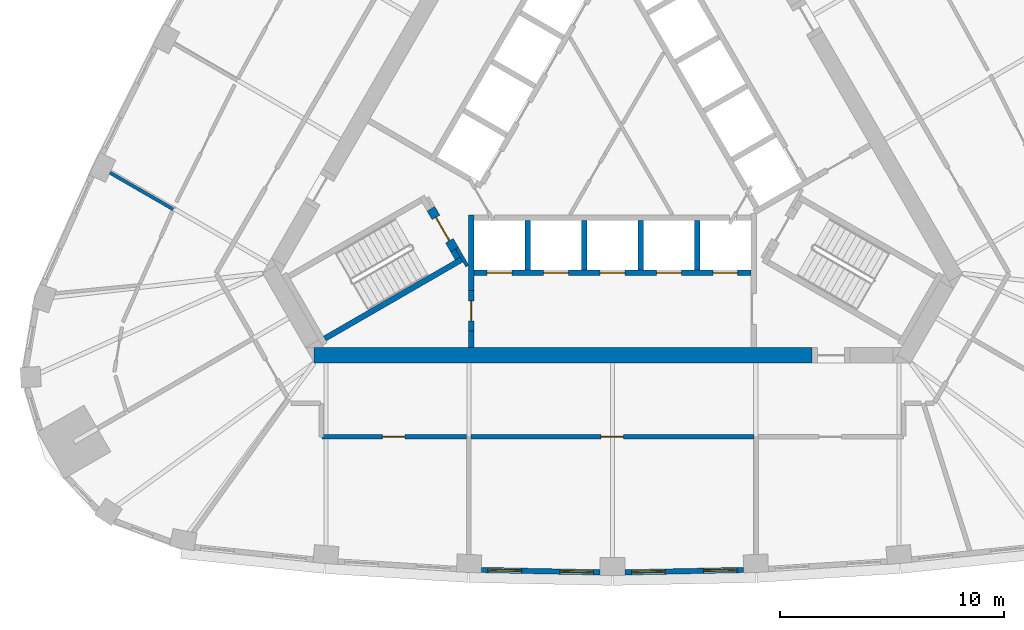
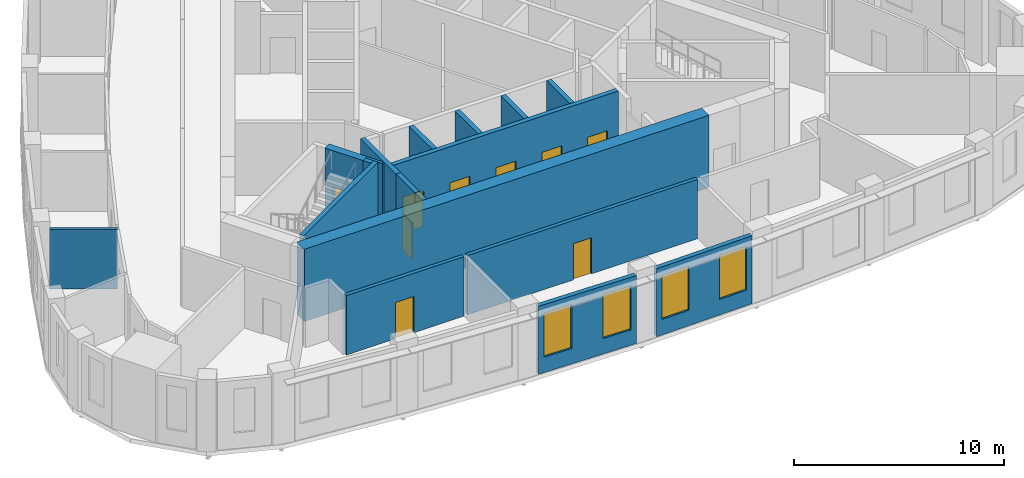
# One storey, part 3 of 11: 18 walls, 9 doors, 4 windows, 13 openings.
"""IFC4 building model written with IfcOpenShell, lengths in metres."""

from ifc_helpers import new_model, si_unit, direction, frame, frame_2d, origin, place, context, subcontext, project, spatial, rectangle, extrude, material, layer, layer_set, type_object, element, fill, save


model = new_model("IFC4")

# Units and contexts
model_context = context("Model", 3, precision=1e-05, world=origin(), true_north=direction((0.0, 1.0)))
body_context = subcontext(model_context, "Body", "Model", "MODEL_VIEW")
ifc_project = project(units=[si_unit("LENGTHUNIT", "METRE"), si_unit("AREAUNIT", "SQUARE_METRE"), si_unit("VOLUMEUNIT", "CUBIC_METRE"), si_unit("PLANEANGLEUNIT", "RADIAN"), si_unit("MASSUNIT", "GRAM", prefix="KILO")], contexts=[model_context])

# Site, building, storey
site_placement = place(None, origin())
site = spatial("IfcSite", under=ifc_project, at=site_placement, CompositionType="ELEMENT")
building_placement = place(site_placement, origin())
building = spatial("IfcBuilding", under=site, at=building_placement, Name="Mestral Congress Tower", CompositionType="ELEMENT")
storey_placement = place(building_placement, frame((0.0, 0.0, 201.60009765625)))
storey = spatial("IfcBuildingStorey", under=building, at=storey_placement, Name="L47", CompositionType="ELEMENT", Elevation=201.60009765625)

# Wall
ifc_material_1 = material(Name="Concrete C60/75", Category="concrete")
ifc_layer_1 = layer(ifc_material_1, 0.699951171875)
ifc_layer_set_1 = layer_set([ifc_layer_1], Name="Concrete C60/75")
wall_type_1 = type_object("IfcWallType", Name="Core wall RC 700", PredefinedType="SOLIDWALL", material=ifc_layer_set_1)
wall_1_placement = place(storey_placement, frame((8.904296875, -10.0, 0.0), z_axis=(0.0, 0.0, 1.0), x_axis=(-1.0, 0.0, 0.0)))
element("IfcWall", 1, at=wall_1_placement, inside=storey, type_object=wall_type_1, Name="L47 core wall", PredefinedType="SOLIDWALL", context=body_context, shape_type="SweptSolid", body=[
    extrude(rectangle(XDim=22.226318359375, YDim=0.699951171875, at=frame_2d((11.11328125, 0.0))), origin(), (0.0, 0.0, 1.0), 4.199951171875),
])

# Wall, openings, windows
ifc_material_2 = material(Name="Precast concrete C40/50 with limestone facing", Category="masonry")
ifc_layer_2 = layer(ifc_material_2, 0.239990234375)
ifc_layer_set_2 = layer_set([ifc_layer_2], Name="Precast concrete C40/50 with limestone facing")
wall_type_2 = type_object("IfcWallType", Name="Facade stone wall 240", PredefinedType="SOLIDWALL", material=ifc_layer_set_2)
wall_2_placement = place(storey_placement, frame((-5.853515625, -19.589111328125, 0.0), z_axis=(0.0, 0.0, 1.0), x_axis=(0.999784035184, -0.020781794712, 0.0)))
wall_2 = element("IfcWall", 2, at=wall_2_placement, inside=storey, type_object=wall_type_2, Name="Facade wall F0-02", PredefinedType="SOLIDWALL", context=body_context, shape_type="SweptSolid", body=[
    extrude(rectangle(XDim=5.29833984375, YDim=0.239990234375, at=frame_2d((2.649169921875, 0.0))), origin(), (0.0, 0.0, 1.0), 3.949951171875),
])
opening_1_placement = place(wall_2_placement, frame((0.29443359375, 0.0, 0.89990234375)))
opening_1 = element("IfcOpeningElement", 3, at=opening_1_placement, cuts=wall_2, Name="Opening W4", PredefinedType="OPENING", context=body_context, shape_type="SweptSolid", body=[
    extrude(rectangle(XDim=1.5, YDim=2.550048828125, at=frame_2d((0.75, 1.27490234375))), frame((0.0, 0.1298828125, 0.0), z_axis=(0.0, -1.0, 0.0), x_axis=(1.0, 0.0, 0.0)), (0.0, 0.0, 1.0), 0.260009765625),
])
opening_2_placement = place(wall_2_placement, frame((3.503662109375, 0.0, 0.89990234375)))
opening_2 = element("IfcOpeningElement", 4, at=opening_2_placement, cuts=wall_2, Name="Opening W4", PredefinedType="OPENING", context=body_context, shape_type="SweptSolid", body=[
    extrude(rectangle(XDim=1.5, YDim=2.550048828125, at=frame_2d((0.75, 1.27490234375))), frame((0.0, 0.1298828125, 0.0), z_axis=(0.0, -1.0, 0.0), x_axis=(1.0, 0.0, 0.0)), (0.0, 0.0, 1.0), 0.260009765625),
])
ifc_material_3 = material(Name="Clear low-emissivity double glazing", Category="glass")
window_type = type_object("IfcWindowType", Name="Facade punched window 1500 x 2550 sill 900", PartitioningType="SINGLE_PANEL", PredefinedType="WINDOW", material=ifc_material_3)
window_1_placement = place(opening_1_placement, origin())
window_1 = element("IfcWindow", 5, at=window_1_placement, inside=storey, type_object=window_type, Name="Window F0-02a", OverallHeight=2.550048828125, OverallWidth=1.5, PartitioningType="SINGLE_PANEL", PredefinedType="WINDOW", context=body_context, shape_type="SweptSolid", body=[
    extrude(rectangle(XDim=1.5, YDim=2.550048828125, at=frame_2d((0.75, 1.27490234375))), frame((0.0, 0.0400390625, 0.0), z_axis=(0.0, -1.0, 0.0), x_axis=(1.0, 0.0, 0.0)), (0.0, 0.0, 1.0), 0.06005859375),
])
fill(opening_1, window_1)
window_2_placement = place(opening_2_placement, origin())
window_2 = element("IfcWindow", 6, at=window_2_placement, inside=storey, type_object=window_type, Name="Window F0-02b", OverallHeight=2.550048828125, OverallWidth=1.5, PartitioningType="SINGLE_PANEL", PredefinedType="WINDOW", context=body_context, shape_type="SweptSolid", body=[
    extrude(rectangle(XDim=1.5, YDim=2.550048828125, at=frame_2d((0.75, 1.27490234375))), frame((0.0, 0.0400390625, 0.0), z_axis=(0.0, -1.0, 0.0), x_axis=(1.0, 0.0, 0.0)), (0.0, 0.0, 1.0), 0.06005859375),
])
fill(opening_2, window_2)

wall_3_placement = place(storey_placement, frame((0.556396484375, -19.69921875, 0.0), z_axis=(0.0, 0.0, 1.0), x_axis=(0.999784035184, 0.020781794712, 0.0)))
wall_3 = element("IfcWall", 7, at=wall_3_placement, inside=storey, type_object=wall_type_2, Name="Facade wall F0-03", PredefinedType="SOLIDWALL", context=body_context, shape_type="SweptSolid", body=[
    extrude(rectangle(XDim=5.29833984375, YDim=0.239990234375, at=frame_2d((2.649169921875, 0.0))), origin(), (0.0, 0.0, 1.0), 3.949951171875),
])
opening_3_placement = place(wall_3_placement, frame((0.29443359375, 0.0, 0.89990234375)))
opening_3 = element("IfcOpeningElement", 8, at=opening_3_placement, cuts=wall_3, Name="Opening W4", PredefinedType="OPENING", context=body_context, shape_type="SweptSolid", body=[
    extrude(rectangle(XDim=1.5, YDim=2.550048828125, at=frame_2d((0.75, 1.27490234375))), frame((0.0, 0.1298828125, 0.0), z_axis=(0.0, -1.0, 0.0), x_axis=(1.0, 0.0, 0.0)), (0.0, 0.0, 1.0), 0.260009765625),
])
opening_4_placement = place(wall_3_placement, frame((3.503662109375, 0.0, 0.89990234375)))
opening_4 = element("IfcOpeningElement", 9, at=opening_4_placement, cuts=wall_3, Name="Opening W4", PredefinedType="OPENING", context=body_context, shape_type="SweptSolid", body=[
    extrude(rectangle(XDim=1.5, YDim=2.550048828125, at=frame_2d((0.75, 1.27490234375))), frame((0.0, 0.1298828125, 0.0), z_axis=(0.0, -1.0, 0.0), x_axis=(1.0, 0.0, 0.0)), (0.0, 0.0, 1.0), 0.260009765625),
])
window_3_placement = place(opening_3_placement, origin())
window_3 = element("IfcWindow", 10, at=window_3_placement, inside=storey, type_object=window_type, Name="Window F0-03a", OverallHeight=2.550048828125, OverallWidth=1.5, PartitioningType="SINGLE_PANEL", PredefinedType="WINDOW", context=body_context, shape_type="SweptSolid", body=[
    extrude(rectangle(XDim=1.5, YDim=2.550048828125, at=frame_2d((0.75, 1.27490234375))), frame((0.0, 0.0400390625, 0.0), z_axis=(0.0, -1.0, 0.0), x_axis=(1.0, 0.0, 0.0)), (0.0, 0.0, 1.0), 0.06005859375),
])
fill(opening_3, window_3)
window_4_placement = place(opening_4_placement, origin())
window_4 = element("IfcWindow", 11, at=window_4_placement, inside=storey, type_object=window_type, Name="Window F0-03b", OverallHeight=2.550048828125, OverallWidth=1.5, PartitioningType="SINGLE_PANEL", PredefinedType="WINDOW", context=body_context, shape_type="SweptSolid", body=[
    extrude(rectangle(XDim=1.5, YDim=2.550048828125, at=frame_2d((0.75, 1.27490234375))), frame((0.0, 0.0400390625, 0.0), z_axis=(0.0, -1.0, 0.0), x_axis=(1.0, 0.0, 0.0)), (0.0, 0.0, 1.0), 0.06005859375),
])
fill(opening_4, window_4)

# Wall
ifc_material_4 = material(Name="Plasterboard partition on steel studs", Category="steel")
ifc_layer_3 = layer(ifc_material_4, 0.14990234375)
ifc_layer_set_3 = layer_set([ifc_layer_3], Name="Plasterboard partition on steel studs")
wall_type_3 = type_object("IfcWallType", Name="Office partition 150", PredefinedType="PARTITIONING", material=ifc_layer_set_3)
wall_4_placement = place(storey_placement, frame((-19.606201171875, -3.48681640625, 0.0), z_axis=(0.0, 0.0, 1.0), x_axis=(-0.866017179828, 0.50001424404, 0.0)))
element("IfcWall", 12, at=wall_4_placement, inside=storey, type_object=wall_type_3, Name="Partition", PredefinedType="PARTITIONING", context=body_context, shape_type="SweptSolid", body=[
    extrude(rectangle(XDim=3.25927734375, YDim=0.14990234375, at=frame_2d((1.629638671875, 0.0))), origin(), (0.0, 0.0, 1.0), 3.449951171875),
])

# Wall, opening, door
ifc_material_5 = material(Name="Dense masonry wall, plastered", Category="masonry")
ifc_layer_4 = layer(ifc_material_5, 0.199951171875)
ifc_layer_set_4 = layer_set([ifc_layer_4], Name="Dense masonry wall, plastered")
wall_type_4 = type_object("IfcWallType", Name="Office tenancy wall 200", PredefinedType="PARTITIONING", material=ifc_layer_set_4)
wall_5_placement = place(storey_placement, frame((-12.969970703125, -13.64990234375, 0.0), z_axis=(0.0, 0.0, 1.0), x_axis=(1.0, 0.0, 0.0)))
wall_5 = element("IfcWall", 13, at=wall_5_placement, inside=storey, type_object=wall_type_4, Name="Tenancy wall", PredefinedType="PARTITIONING", context=body_context, shape_type="SweptSolid", body=[
    extrude(rectangle(XDim=6.453125, YDim=0.199951171875, at=frame_2d((3.2265625, 0.0))), origin(), (0.0, 0.0, 1.0), 3.449951171875),
])
opening_5_placement = place(wall_5_placement, frame((2.699951171875, 0.0, 0.0)))
opening_5 = element("IfcOpeningElement", 14, at=opening_5_placement, cuts=wall_5, Name="Opening O06-001", PredefinedType="OPENING", context=body_context, shape_type="SweptSolid", body=[
    extrude(rectangle(XDim=1.0, YDim=2.10009765625, at=frame_2d((0.5, 1.050048828125))), frame((0.0, 0.10986328125, 0.0), z_axis=(0.0, -1.0, 0.0), x_axis=(1.0, 0.0, 0.0)), (0.0, 0.0, 1.0), 0.219970703125),
])
ifc_material_6 = material(Name="Fire-rated timber door set", Category="wood")
door_type_1 = type_object("IfcDoorType", Name="Office tenancy entrance door 1000x2100", OperationType="SINGLE_SWING_LEFT", PredefinedType="DOOR", material=ifc_material_6)
door_1_placement = place(opening_5_placement, origin())
door_1 = element("IfcDoor", 15, at=door_1_placement, inside=storey, type_object=door_type_1, Name="Door O06-001", OperationType="SINGLE_SWING_LEFT", OverallHeight=2.10009765625, OverallWidth=1.0, PredefinedType="DOOR", context=body_context, shape_type="SweptSolid", body=[
    extrude(rectangle(XDim=1.0, YDim=2.10009765625, at=frame_2d((0.5, 1.050048828125))), frame((0.0, 0.02490234375, 0.0), z_axis=(0.0, -1.0, 0.0), x_axis=(1.0, 0.0, 0.0)), (0.0, 0.0, 1.0), 0.050048828125),
])
fill(opening_5, door_1)

wall_6_placement = place(storey_placement, frame((-6.31689453125, -13.64990234375, 0.0), z_axis=(0.0, 0.0, 1.0), x_axis=(1.0, 0.0, 0.0)))
wall_6 = element("IfcWall", 16, at=wall_6_placement, inside=storey, type_object=wall_type_4, Name="Tenancy wall", PredefinedType="PARTITIONING", context=body_context, shape_type="SweptSolid", body=[
    extrude(rectangle(XDim=12.6337890625, YDim=0.199951171875, at=frame_2d((6.31689453125, 0.0))), origin(), (0.0, 0.0, 1.0), 3.449951171875),
])
opening_6_placement = place(wall_6_placement, frame((5.800048828125, 0.0, 0.0)))
opening_6 = element("IfcOpeningElement", 17, at=opening_6_placement, cuts=wall_6, Name="Opening O06-002", PredefinedType="OPENING", context=body_context, shape_type="SweptSolid", body=[
    extrude(rectangle(XDim=1.0, YDim=2.10009765625, at=frame_2d((0.5, 1.050048828125))), frame((0.0, 0.10986328125, 0.0), z_axis=(0.0, -1.0, 0.0), x_axis=(1.0, 0.0, 0.0)), (0.0, 0.0, 1.0), 0.219970703125),
])
door_2_placement = place(opening_6_placement, origin())
door_2 = element("IfcDoor", 18, at=door_2_placement, inside=storey, type_object=door_type_1, Name="Door O06-002", OperationType="SINGLE_SWING_LEFT", OverallHeight=2.10009765625, OverallWidth=1.0, PredefinedType="DOOR", context=body_context, shape_type="SweptSolid", body=[
    extrude(rectangle(XDim=1.0, YDim=2.10009765625, at=frame_2d((0.5, 1.050048828125))), frame((0.0, 0.02490234375, 0.0), z_axis=(0.0, -1.0, 0.0), x_axis=(1.0, 0.0, 0.0)), (0.0, 0.0, 1.0), 0.050048828125),
])
fill(opening_6, door_2)

# Walls
ifc_layer_5 = layer(ifc_material_1, 0.25)
ifc_layer_set_5 = layer_set([ifc_layer_5], Name="Concrete C60/75")
wall_type_5 = type_object("IfcWallType", Name="Shaft wall RC 250", PredefinedType="SOLIDWALL", material=ifc_layer_set_5)
wall_7_placement = place(storey_placement, frame((-6.300048828125, -8.9248046875, 0.0), z_axis=(0.0, 0.0, 1.0), x_axis=(0.0, -1.0, 0.0)))
element("IfcWall", 19, at=wall_7_placement, inside=storey, type_object=wall_type_5, Name="L47 core wall", PredefinedType="SOLIDWALL", context=body_context, shape_type="SweptSolid", body=[
    extrude(rectangle(XDim=0.72509765625, YDim=0.25, at=frame_2d((0.362548828125, 0.0))), origin(), (0.0, 0.0, 1.0), 4.199951171875),
])
for number, where, z_axis, x_axis, name in (
    (20, (3.780029296875, -4.0, 0.0), (0.0, 0.0, 1.0), (0.0, -1.0, 0.0), "L47 core wall"),
    (21, (1.260009765625, -4.0, 0.0), (0.0, 0.0, 1.0), (0.0, -1.0, 0.0), "L47 core wall"),
    (22, (-1.260009765625, -4.0, 0.0), (0.0, 0.0, 1.0), (0.0, -1.0, 0.0), "L47 core wall"),
    (23, (-3.780029296875, -4.0, 0.0), (0.0, 0.0, 1.0), (0.0, -1.0, 0.0), "L47 core wall"),
):
    element("IfcWall", number, at=place(storey_placement, frame(where, z_axis=z_axis, x_axis=x_axis)), inside=storey, type_object=wall_type_5, Name=name, PredefinedType="SOLIDWALL", context=body_context, shape_type="SweptSolid", body=[
        extrude(rectangle(XDim=2.199951171875, YDim=0.25, at=frame_2d((1.10009765625, 0.0))), origin(), (0.0, 0.0, 1.0), 4.199951171875),
    ])
wall_8_placement = place(storey_placement, frame((-6.300048828125, -7.12451171875, 0.0), z_axis=(0.0, 0.0, 1.0), x_axis=(0.0, 1.0, 0.0)))
element("IfcWall", 24, at=wall_8_placement, inside=storey, type_object=wall_type_5, Name="L47 core wall", PredefinedType="SOLIDWALL", context=body_context, shape_type="SweptSolid", body=[
    extrude(rectangle(XDim=3.37451171875, YDim=0.25, at=frame_2d((1.687255859375, 0.0))), origin(), (0.0, 0.0, 1.0), 4.199951171875),
])

# Wall, openings, doors
wall_9_placement = place(storey_placement, frame((-6.175048828125, -6.324951171875, 0.0), z_axis=(0.0, 0.0, 1.0), x_axis=(1.0, 0.0, 0.0)))
wall_9 = element("IfcWall", 25, at=wall_9_placement, inside=storey, type_object=wall_type_5, Name="L47 door wall", PredefinedType="SOLIDWALL", context=body_context, shape_type="SweptSolid", body=[
    extrude(rectangle(XDim=12.35009765625, YDim=0.25, at=frame_2d((6.175048828125, 0.0))), origin(), (0.0, 0.0, 1.0), 4.199951171875),
])
opening_7_placement = place(wall_9_placement, frame((0.5849609375, 0.0, 0.0)))
opening_7 = element("IfcOpeningElement", 26, at=opening_7_placement, cuts=wall_9, Name="Opening LD-SOB1", PredefinedType="OPENING", context=body_context, shape_type="SweptSolid", body=[
    extrude(rectangle(XDim=1.10009765625, YDim=2.10009765625, at=frame_2d((0.550048828125, 1.050048828125))), frame((0.0, 0.135009765625, 0.0), z_axis=(0.0, -1.0, 0.0), x_axis=(1.0, 0.0, 0.0)), (0.0, 0.0, 1.0), 0.27001953125),
])
opening_8_placement = place(wall_9_placement, frame((3.10498046875, 0.0, 0.0)))
opening_8 = element("IfcOpeningElement", 27, at=opening_8_placement, cuts=wall_9, Name="Opening LD-SOB2", PredefinedType="OPENING", context=body_context, shape_type="SweptSolid", body=[
    extrude(rectangle(XDim=1.10009765625, YDim=2.10009765625, at=frame_2d((0.550048828125, 1.050048828125))), frame((0.0, 0.135009765625, 0.0), z_axis=(0.0, -1.0, 0.0), x_axis=(1.0, 0.0, 0.0)), (0.0, 0.0, 1.0), 0.27001953125),
])
opening_9_placement = place(wall_9_placement, frame((5.625, 0.0, 0.0)))
opening_9 = element("IfcOpeningElement", 28, at=opening_9_placement, cuts=wall_9, Name="Opening LD-SOB3", PredefinedType="OPENING", context=body_context, shape_type="SweptSolid", body=[
    extrude(rectangle(XDim=1.10009765625, YDim=2.10009765625, at=frame_2d((0.550048828125, 1.050048828125))), frame((0.0, 0.135009765625, 0.0), z_axis=(0.0, -1.0, 0.0), x_axis=(1.0, 0.0, 0.0)), (0.0, 0.0, 1.0), 0.27001953125),
])
opening_10_placement = place(wall_9_placement, frame((8.14501953125, 0.0, 0.0)))
opening_10 = element("IfcOpeningElement", 29, at=opening_10_placement, cuts=wall_9, Name="Opening LD-SOB4", PredefinedType="OPENING", context=body_context, shape_type="SweptSolid", body=[
    extrude(rectangle(XDim=1.10009765625, YDim=2.10009765625, at=frame_2d((0.550048828125, 1.050048828125))), frame((0.0, 0.135009765625, 0.0), z_axis=(0.0, -1.0, 0.0), x_axis=(1.0, 0.0, 0.0)), (0.0, 0.0, 1.0), 0.27001953125),
])
opening_11_placement = place(wall_9_placement, frame((10.6650390625, 0.0, 0.0)))
opening_11 = element("IfcOpeningElement", 30, at=opening_11_placement, cuts=wall_9, Name="Opening LD-SOB5", PredefinedType="OPENING", context=body_context, shape_type="SweptSolid", body=[
    extrude(rectangle(XDim=1.10009765625, YDim=2.10009765625, at=frame_2d((0.550048828125, 1.050048828125))), frame((0.0, 0.135009765625, 0.0), z_axis=(0.0, -1.0, 0.0), x_axis=(1.0, 0.0, 0.0)), (0.0, 0.0, 1.0), 0.27001953125),
])
ifc_material_7 = material(Name="Fire-rated steel door set", Category="steel")
door_type_2 = type_object("IfcDoorType", Name="Core door LD 1100x2100", OperationType="DOUBLE_DOOR_SLIDING", PredefinedType="DOOR", material=ifc_material_7)
door_3_placement = place(opening_7_placement, origin())
door_3 = element("IfcDoor", 31, at=door_3_placement, inside=storey, type_object=door_type_2, Name="Door LD-SOB1", OperationType="DOUBLE_DOOR_SLIDING", OverallHeight=2.10009765625, OverallWidth=1.10009765625, PredefinedType="DOOR", context=body_context, shape_type="SweptSolid", body=[
    extrude(rectangle(XDim=1.10009765625, YDim=2.10009765625, at=frame_2d((0.550048828125, 1.050048828125))), frame((0.0, 0.02490234375, 0.0), z_axis=(0.0, -1.0, 0.0), x_axis=(1.0, 0.0, 0.0)), (0.0, 0.0, 1.0), 0.050048828125),
])
fill(opening_7, door_3)
door_4_placement = place(opening_8_placement, origin())
door_4 = element("IfcDoor", 32, at=door_4_placement, inside=storey, type_object=door_type_2, Name="Door LD-SOB2", OperationType="DOUBLE_DOOR_SLIDING", OverallHeight=2.10009765625, OverallWidth=1.10009765625, PredefinedType="DOOR", context=body_context, shape_type="SweptSolid", body=[
    extrude(rectangle(XDim=1.10009765625, YDim=2.10009765625, at=frame_2d((0.550048828125, 1.050048828125))), frame((0.0, 0.02490234375, 0.0), z_axis=(0.0, -1.0, 0.0), x_axis=(1.0, 0.0, 0.0)), (0.0, 0.0, 1.0), 0.050048828125),
])
fill(opening_8, door_4)
door_5_placement = place(opening_9_placement, origin())
door_5 = element("IfcDoor", 33, at=door_5_placement, inside=storey, type_object=door_type_2, Name="Door LD-SOB3", OperationType="DOUBLE_DOOR_SLIDING", OverallHeight=2.10009765625, OverallWidth=1.10009765625, PredefinedType="DOOR", context=body_context, shape_type="SweptSolid", body=[
    extrude(rectangle(XDim=1.10009765625, YDim=2.10009765625, at=frame_2d((0.550048828125, 1.050048828125))), frame((0.0, 0.02490234375, 0.0), z_axis=(0.0, -1.0, 0.0), x_axis=(1.0, 0.0, 0.0)), (0.0, 0.0, 1.0), 0.050048828125),
])
fill(opening_9, door_5)
door_6_placement = place(opening_10_placement, origin())
door_6 = element("IfcDoor", 34, at=door_6_placement, inside=storey, type_object=door_type_2, Name="Door LD-SOB4", OperationType="DOUBLE_DOOR_SLIDING", OverallHeight=2.10009765625, OverallWidth=1.10009765625, PredefinedType="DOOR", context=body_context, shape_type="SweptSolid", body=[
    extrude(rectangle(XDim=1.10009765625, YDim=2.10009765625, at=frame_2d((0.550048828125, 1.050048828125))), frame((0.0, 0.02490234375, 0.0), z_axis=(0.0, -1.0, 0.0), x_axis=(1.0, 0.0, 0.0)), (0.0, 0.0, 1.0), 0.050048828125),
])
fill(opening_10, door_6)
door_7_placement = place(opening_11_placement, origin())
door_7 = element("IfcDoor", 35, at=door_7_placement, inside=storey, type_object=door_type_2, Name="Door LD-SOB5", OperationType="DOUBLE_DOOR_SLIDING", OverallHeight=2.10009765625, OverallWidth=1.10009765625, PredefinedType="DOOR", context=body_context, shape_type="SweptSolid", body=[
    extrude(rectangle(XDim=1.10009765625, YDim=2.10009765625, at=frame_2d((0.550048828125, 1.050048828125))), frame((0.0, 0.02490234375, 0.0), z_axis=(0.0, -1.0, 0.0), x_axis=(1.0, 0.0, 0.0)), (0.0, 0.0, 1.0), 0.050048828125),
])
fill(opening_11, door_7)

# Wall, opening, door
wall_10_placement = place(storey_placement, frame((-6.300048828125, -7.12451171875, 0.0), z_axis=(0.0, 0.0, 1.0), x_axis=(0.0, -1.0, 0.0)))
wall_10 = element("IfcWall", 36, at=wall_10_placement, inside=storey, type_object=wall_type_5, Name="L47 door wall", PredefinedType="SOLIDWALL", context=body_context, shape_type="SweptSolid", body=[
    extrude(rectangle(XDim=1.800048828125, YDim=0.25, at=frame_2d((0.89990234375, 0.0))), origin(), (0.0, 0.0, 1.0), 4.199951171875),
])
opening_12_placement = place(wall_10_placement, frame((0.449951171875, 0.0, 0.0)))
opening_12 = element("IfcOpeningElement", 37, at=opening_12_placement, cuts=wall_10, Name="Opening TD3", PredefinedType="OPENING", context=body_context, shape_type="SweptSolid", body=[
    extrude(rectangle(XDim=0.89990234375, YDim=2.10009765625, at=frame_2d((0.449951171875, 1.050048828125))), frame((0.0, 0.135009765625, 0.0), z_axis=(0.0, -1.0, 0.0), x_axis=(1.0, 0.0, 0.0)), (0.0, 0.0, 1.0), 0.27001953125),
])
door_type_3 = type_object("IfcDoorType", Name="Core door SR 900x2100", OperationType="SINGLE_SWING_LEFT", PredefinedType="DOOR", material=ifc_material_7)
door_8_placement = place(opening_12_placement, origin())
door_8 = element("IfcDoor", 38, at=door_8_placement, inside=storey, type_object=door_type_3, Name="Door TD3", OperationType="SINGLE_SWING_LEFT", OverallHeight=2.10009765625, OverallWidth=0.89990234375, PredefinedType="DOOR", context=body_context, shape_type="SweptSolid", body=[
    extrude(rectangle(XDim=0.89990234375, YDim=2.10009765625, at=frame_2d((0.449951171875, 1.050048828125))), frame((0.0, 0.02490234375, 0.0), z_axis=(0.0, -1.0, 0.0), x_axis=(1.0, 0.0, 0.0)), (0.0, 0.0, 1.0), 0.050048828125),
])
fill(opening_12, door_8)

# Walls
ifc_layer_6 = layer(ifc_material_1, 0.14990234375)
ifc_layer_set_6 = layer_set([ifc_layer_6], Name="Concrete C60/75")
wall_type_6 = type_object("IfcWallType", Name="Shaft wall RC 250 door-wall 150", PredefinedType="SOLIDWALL", material=ifc_layer_set_6)
wall_11_placement = place(storey_placement, frame((-6.48046875, -6.026611328125, 0.0), z_axis=(0.0, 0.0, 1.0), x_axis=(-0.499927229454, 0.866067413802, 0.0)))
element("IfcWall", 39, at=wall_11_placement, inside=storey, type_object=wall_type_6, Name="L47 core wall", PredefinedType="PARTITIONING", context=body_context, shape_type="SweptSolid", body=[
    extrude(rectangle(XDim=0.928955078125, YDim=0.14990234375, at=frame_2d((0.46435546875, 0.0))), origin(), (0.0, 0.0, 1.0), 4.199951171875),
])
ifc_layer_7 = layer(ifc_material_1, 0.25)
ifc_layer_set_7 = layer_set([ifc_layer_7], Name="Concrete C60/75")
wall_type_7 = type_object("IfcWallType", Name="Stair wall RC 250", PredefinedType="SOLIDWALL", material=ifc_layer_set_7)
wall_12_placement = place(storey_placement, frame((-12.83984375, -9.2607421875, 0.0), z_axis=(0.0, 0.0, 1.0), x_axis=(0.866016039709, 0.500016218704, 0.0)))
element("IfcWall", 40, at=wall_12_placement, inside=storey, type_object=wall_type_7, Name="L47 core wall", PredefinedType="SOLIDWALL", context=body_context, shape_type="SweptSolid", body=[
    extrude(rectangle(XDim=7.050048828125, YDim=0.25, at=frame_2d((3.52490234375, 0.0))), origin(), (0.0, 0.0, 1.0), 4.199951171875),
])
wall_13_placement = place(storey_placement, frame((-6.905029296875, -5.68994140625, 0.0), z_axis=(0.0, 0.0, 1.0), x_axis=(-0.500402024738, 0.865793170242, 0.0)))
element("IfcWall", 41, at=wall_13_placement, inside=storey, type_object=wall_type_7, Name="L47 core wall", PredefinedType="SOLIDWALL", context=body_context, shape_type="SweptSolid", body=[
    extrude(rectangle(XDim=0.425048828125, YDim=0.25, at=frame_2d((0.21240234375, 0.0))), origin(), (0.0, 0.0, 1.0), 4.199951171875),
])

# Wall, opening, door
ifc_layer_8 = layer(ifc_material_1, 0.39990234375)
ifc_layer_set_8 = layer_set([ifc_layer_8], Name="Concrete C60/75")
wall_type_8 = type_object("IfcWallType", Name="Stair wall RC 250 door-wall 400", PredefinedType="SOLIDWALL", material=ifc_layer_set_8)
wall_14_placement = place(storey_placement, frame((-8.102783203125, -3.4658203125, 0.0), z_axis=(0.0, 0.0, 1.0), x_axis=(0.500078061341, -0.865980330357, 0.0)))
wall_14 = element("IfcWall", 42, at=wall_14_placement, inside=storey, type_object=wall_type_8, Name="L47 door wall", PredefinedType="SOLIDWALL", context=body_context, shape_type="SweptSolid", body=[
    extrude(rectangle(XDim=2.099853515625, YDim=0.39990234375, at=frame_2d((1.0498046875, 0.0))), origin(), (0.0, 0.0, 1.0), 4.199951171875),
])
opening_13_placement = place(wall_14_placement, frame((0.449951171875, 0.0, 0.0)))
opening_13 = element("IfcOpeningElement", 43, at=opening_13_placement, cuts=wall_14, Name="Opening ST-D3", PredefinedType="OPENING", context=body_context, shape_type="SweptSolid", body=[
    extrude(rectangle(XDim=1.199951171875, YDim=2.10009765625, at=frame_2d((0.60009765625, 1.050048828125))), frame((0.0, 0.2099609375, 0.0), z_axis=(0.0, -1.0, 0.0), x_axis=(1.0, 0.0, 0.0)), (0.0, 0.0, 1.0), 0.419921875),
])
door_type_4 = type_object("IfcDoorType", Name="Core door ST 1200x2100", OperationType="SINGLE_SWING_LEFT", PredefinedType="DOOR", material=ifc_material_7)
door_9_placement = place(opening_13_placement, origin())
door_9 = element("IfcDoor", 44, at=door_9_placement, inside=storey, type_object=door_type_4, Name="Door ST-D3", OperationType="SINGLE_SWING_LEFT", OverallHeight=2.10009765625, OverallWidth=1.199951171875, PredefinedType="DOOR", context=body_context, shape_type="SweptSolid", body=[
    extrude(rectangle(XDim=1.199951171875, YDim=2.10009765625, at=frame_2d((0.60009765625, 1.050048828125))), frame((0.0, 0.02490234375, 0.0), z_axis=(0.0, -1.0, 0.0), x_axis=(1.0, 0.0, 0.0)), (0.0, 0.0, 1.0), 0.050048828125),
])
fill(opening_13, door_9)

save(model, "model.ifc")
